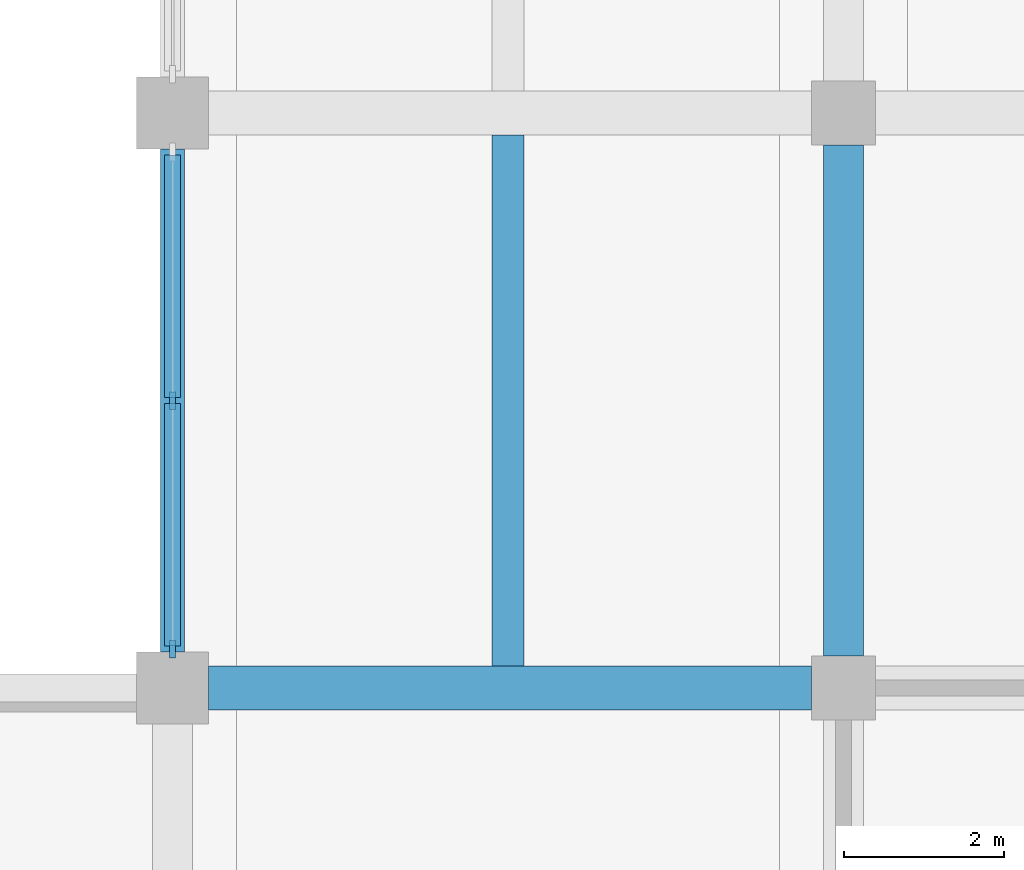
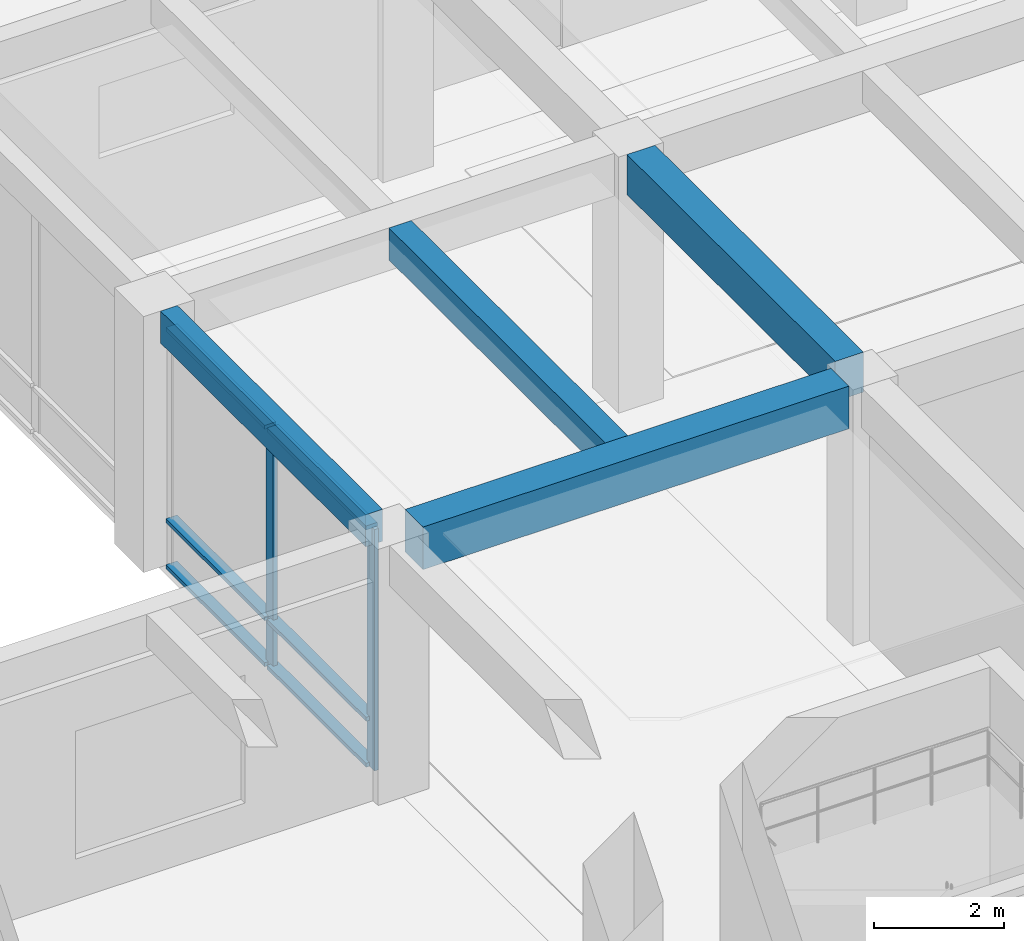
# One storey, part 5 of 49: 8 members, 4 beams, 1 element without a shape of its own.
"""IFC4 building model written with IfcOpenShell, lengths in metres."""

from ifc_helpers import new_model, si_unit, direction, frame, origin, origin_2d, place, context, subcontext, project, spatial, rectangle, extrude, material, material_profile, profile_set, type_object, element, aggregate, save


model = new_model("IFC4")

# Units and contexts
model_context = context("Model", 3, precision=1e-05, world=origin(), true_north=direction((0.0, 1.0)))
body_context = subcontext(model_context, "Body", "Model", "MODEL_VIEW")
ifc_project = project(units=[si_unit("LENGTHUNIT", "METRE"), si_unit("AREAUNIT", "SQUARE_METRE"), si_unit("VOLUMEUNIT", "CUBIC_METRE"), si_unit("PLANEANGLEUNIT", "RADIAN"), si_unit("MASSUNIT", "GRAM", prefix="KILO")], contexts=[model_context])

# Site, building, storey
site_placement = place(None, origin())
site = spatial("IfcSite", under=ifc_project, at=site_placement, CompositionType="ELEMENT")
building_placement = place(site_placement, origin())
building = spatial("IfcBuilding", under=site, at=building_placement, Name="Kenerak Square Central Library", CompositionType="ELEMENT")
storey_placement = place(building_placement, origin())
storey = spatial("IfcBuildingStorey", under=building, at=storey_placement, Name="L00", CompositionType="ELEMENT", Elevation=0.0)

# Beam
ifc_material_1 = material(Name="Concrete C40/50", Category="concrete")
ifc_material_profile_1 = material_profile(ifc_material_1, rectangle(XDim=0.300048828125, YDim=0.60009765625, at=origin_2d()), Name="RC 300x600")
ifc_profile_set_1 = profile_set([ifc_material_profile_1], Name="Concrete C40/50")
beam_type_1 = type_object("IfcBeamType", Name="Courtyard Spandrel Beam SP-02 RC 300x600 C40/50", PredefinedType="SPANDREL", material=ifc_profile_set_1)
beam_1_placement = place(storey_placement, frame((58.39990234375, 38.85009765625, 4.5), z_axis=(0.0, 1.0, 0.0), x_axis=(-1.0, 0.0, 0.0)))
element("IfcBeam", 1, at=beam_1_placement, inside=storey, type_object=beam_type_1, Name="Beam SP-02 L00 0616", PredefinedType="SPANDREL", context=body_context, shape_type="SweptSolid", body=[
    extrude(rectangle(XDim=0.300048828125, YDim=0.60009765625, at=origin_2d()), origin(), (0.0, 0.0, 1.0), 6.2998046875),
])

# Curtain wall, members
ifc_material_2 = material(Name="Anodised aluminium and solar-control low-E glazing", Category="aluminium")
curtain_wall_type = type_object("IfcCurtainWallType", Name="Curtain Wall CW-V1-63x45 6300x4525", PredefinedType="USERDEFINED", material=ifc_material_2)
curtain_wall_placement = place(storey_placement, origin())
curtain_wall = element("IfcCurtainWall", 2, at=curtain_wall_placement, inside=storey, type_object=curtain_wall_type, Name="Curtain Wall CW-V1-63x45 L00 0001", ObjectType="CURTAIN WALL", PredefinedType="USERDEFINED")
ifc_material_3 = material(Name="Anodised aluminium 6063-T6", Category="aluminium")
ifc_material_profile_2 = material_profile(ifc_material_3, rectangle(XDim=0.074951171875, YDim=0.219970703125, at=origin_2d()), Name="AL MULLION 75x220")
ifc_profile_set_2 = profile_set([ifc_material_profile_2], Name="Anodised aluminium 6063-T6")
member_type_1 = type_object("IfcMemberType", Name="Curtain Mullion CM-02 75x220", PredefinedType="MULLION", material=ifc_profile_set_2)
member_1_placement = place(storey_placement, frame((58.39990234375, 38.887451171875, 0.0), z_axis=(0.0, 0.0, 1.0), x_axis=(-1.0, 0.0, 0.0)))
member_1 = element("IfcMember", 3, at=member_1_placement, type_object=member_type_1, Name="CW-V1-63x45 Mullion 1", PredefinedType="MULLION", context=body_context, shape_type="SweptSolid", body=[
    extrude(rectangle(XDim=0.074951171875, YDim=0.219970703125, at=origin_2d()), origin(), (0.0, 0.0, 1.0), 4.52490234375),
])
member_2_placement = place(storey_placement, frame((58.39990234375, 42.0, 0.0), z_axis=(0.0, 0.0, 1.0), x_axis=(-1.0, 0.0, 0.0)))
member_2 = element("IfcMember", 4, at=member_2_placement, type_object=member_type_1, Name="CW-V1-63x45 Mullion 2", PredefinedType="MULLION", context=body_context, shape_type="SweptSolid", body=[
    extrude(rectangle(XDim=0.074951171875, YDim=0.219970703125, at=origin_2d()), origin(), (0.0, 0.0, 1.0), 4.52490234375),
])
ifc_material_profile_3 = material_profile(ifc_material_3, rectangle(XDim=0.199951171875, YDim=0.074951171875, at=origin_2d()), Name="AL TRANSOM 200x75")
ifc_profile_set_3 = profile_set([ifc_material_profile_3], Name="Anodised aluminium 6063-T6")
member_type_2 = type_object("IfcMemberType", Name="Curtain Transom CT-12 200x75", PredefinedType="USERDEFINED", material=ifc_profile_set_3)
member_3_placement = place(storey_placement, frame((58.39990234375, 38.925048828125, 0.03759765625), z_axis=(0.0, 1.0, 0.0), x_axis=(-1.0, 0.0, 0.0)))
member_3 = element("IfcMember", 5, at=member_3_placement, type_object=member_type_2, Name="CW-V1-63x45 Transom 1.1", ObjectType="TRANSOM", PredefinedType="USERDEFINED", context=body_context, shape_type="SweptSolid", body=[
    extrude(rectangle(XDim=0.199951171875, YDim=0.074951171875, at=origin_2d()), origin(), (0.0, 0.0, 1.0), 3.037353515625),
])
member_4_placement = place(storey_placement, frame((58.39990234375, 38.925048828125, 0.89990234375), z_axis=(0.0, 1.0, 0.0), x_axis=(-1.0, 0.0, 0.0)))
member_4 = element("IfcMember", 6, at=member_4_placement, type_object=member_type_2, Name="CW-V1-63x45 Transom 1.2", ObjectType="TRANSOM", PredefinedType="USERDEFINED", context=body_context, shape_type="SweptSolid", body=[
    extrude(rectangle(XDim=0.199951171875, YDim=0.074951171875, at=origin_2d()), origin(), (0.0, 0.0, 1.0), 3.037353515625),
])
member_5_placement = place(storey_placement, frame((58.39990234375, 38.925048828125, 4.487548828125), z_axis=(0.0, 1.0, 0.0), x_axis=(-1.0, 0.0, 0.0)))
member_5 = element("IfcMember", 7, at=member_5_placement, type_object=member_type_2, Name="CW-V1-63x45 Transom 1.3", ObjectType="TRANSOM", PredefinedType="USERDEFINED", context=body_context, shape_type="SweptSolid", body=[
    extrude(rectangle(XDim=0.199951171875, YDim=0.074951171875, at=origin_2d()), origin(), (0.0, 0.0, 1.0), 3.037353515625),
])
member_6_placement = place(storey_placement, frame((58.39990234375, 42.03759765625, 0.03759765625), z_axis=(0.0, 1.0, 0.0), x_axis=(-1.0, 0.0, 0.0)))
member_6 = element("IfcMember", 8, at=member_6_placement, type_object=member_type_2, Name="CW-V1-63x45 Transom 2.1", ObjectType="TRANSOM", PredefinedType="USERDEFINED", context=body_context, shape_type="SweptSolid", body=[
    extrude(rectangle(XDim=0.199951171875, YDim=0.074951171875, at=origin_2d()), origin(), (0.0, 0.0, 1.0), 3.037353515625),
])
member_7_placement = place(storey_placement, frame((58.39990234375, 42.03759765625, 0.89990234375), z_axis=(0.0, 1.0, 0.0), x_axis=(-1.0, 0.0, 0.0)))
member_7 = element("IfcMember", 9, at=member_7_placement, type_object=member_type_2, Name="CW-V1-63x45 Transom 2.2", ObjectType="TRANSOM", PredefinedType="USERDEFINED", context=body_context, shape_type="SweptSolid", body=[
    extrude(rectangle(XDim=0.199951171875, YDim=0.074951171875, at=origin_2d()), origin(), (0.0, 0.0, 1.0), 3.037353515625),
])
member_8_placement = place(storey_placement, frame((58.39990234375, 42.03759765625, 4.487548828125), z_axis=(0.0, 1.0, 0.0), x_axis=(-1.0, 0.0, 0.0)))
member_8 = element("IfcMember", 10, at=member_8_placement, type_object=member_type_2, Name="CW-V1-63x45 Transom 2.3", ObjectType="TRANSOM", PredefinedType="USERDEFINED", context=body_context, shape_type="SweptSolid", body=[
    extrude(rectangle(XDim=0.199951171875, YDim=0.074951171875, at=origin_2d()), origin(), (0.0, 0.0, 1.0), 3.037353515625),
])
aggregate(curtain_wall, [member_1, member_2, member_3, member_4, member_5, member_6, member_7, member_8])

# Beams
ifc_material_profile_4 = material_profile(ifc_material_1, rectangle(XDim=0.550048828125, YDim=0.800048828125, at=origin_2d()), Name="RC 550x800")
ifc_profile_set_4 = profile_set([ifc_material_profile_4], Name="Concrete C40/50")
beam_type_2 = type_object("IfcBeamType", Name="Primary Reading Beam B-04 RC 550x800 C40/50", PredefinedType="BEAM", material=ifc_profile_set_4)
beam_2_placement = place(storey_placement, frame((58.85009765625, 38.39990234375, 4.39990234375), z_axis=(1.0, 0.0, 0.0), x_axis=(0.0, 1.0, 0.0)))
element("IfcBeam", 11, at=beam_2_placement, inside=storey, type_object=beam_type_2, Name="Beam B-04 L00 0494", PredefinedType="BEAM", context=body_context, shape_type="SweptSolid", body=[
    extrude(rectangle(XDim=0.550048828125, YDim=0.800048828125, at=origin_2d()), origin(), (0.0, 0.0, 1.0), 7.5498046875),
])
ifc_material_profile_5 = material_profile(ifc_material_1, rectangle(XDim=0.39990234375, YDim=0.60009765625, at=origin_2d()), Name="RC 400x600")
ifc_profile_set_5 = profile_set([ifc_material_profile_5], Name="Concrete C40/50")
beam_type_3 = type_object("IfcBeamType", Name="Secondary Floor Joist J-01 RC 400x600 C40/50", PredefinedType="JOIST", material=ifc_profile_set_5)
beam_3_placement = place(storey_placement, frame((62.60009765625, 38.675048828125, 4.5), z_axis=(0.0, 1.0, 0.0), x_axis=(-1.0, 0.0, 0.0)))
element("IfcBeam", 12, at=beam_3_placement, inside=storey, type_object=beam_type_3, Name="Joist J-01 L00 0764", PredefinedType="JOIST", context=body_context, shape_type="SweptSolid", body=[
    extrude(rectangle(XDim=0.39990234375, YDim=0.60009765625, at=origin_2d()), origin(), (0.0, 0.0, 1.0), 6.64990234375),
])
ifc_material_profile_6 = material_profile(ifc_material_1, rectangle(XDim=0.5, YDim=0.75, at=origin_2d()), Name="RC 500x750")
ifc_profile_set_6 = profile_set([ifc_material_profile_6], Name="Concrete C40/50")
beam_type_4 = type_object("IfcBeamType", Name="Transverse Frame Beam B-05 RC 500x750 C40/50", PredefinedType="BEAM", material=ifc_profile_set_6)
beam_4_placement = place(storey_placement, frame((66.800048828125, 38.800048828125, 4.425048828125), z_axis=(0.0, 1.0, 0.0), x_axis=(-1.0, 0.0, 0.0)))
element("IfcBeam", 13, at=beam_4_placement, inside=storey, type_object=beam_type_4, Name="Beam B-05 L00 0624", PredefinedType="BEAM", context=body_context, shape_type="SweptSolid", body=[
    extrude(rectangle(XDim=0.5, YDim=0.75, at=origin_2d()), origin(), (0.0, 0.0, 1.0), 6.39990234375),
])

save(model, "model.ifc")
